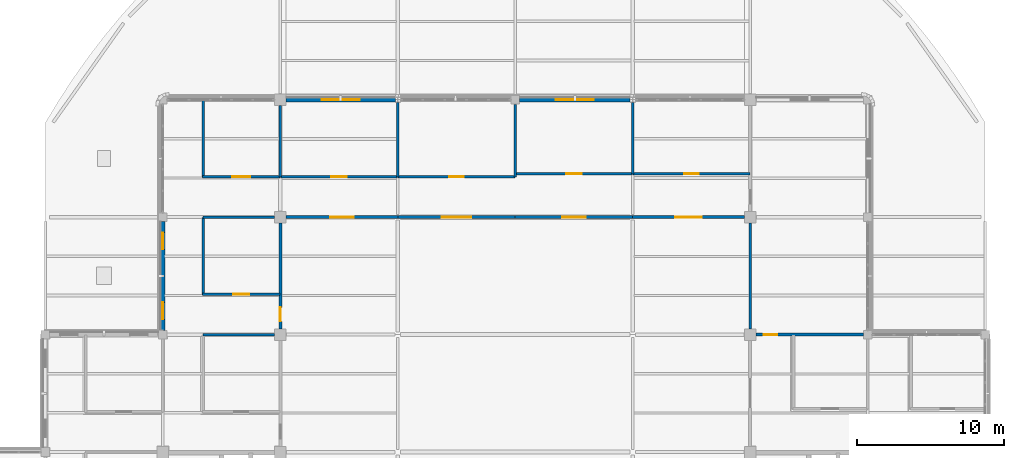
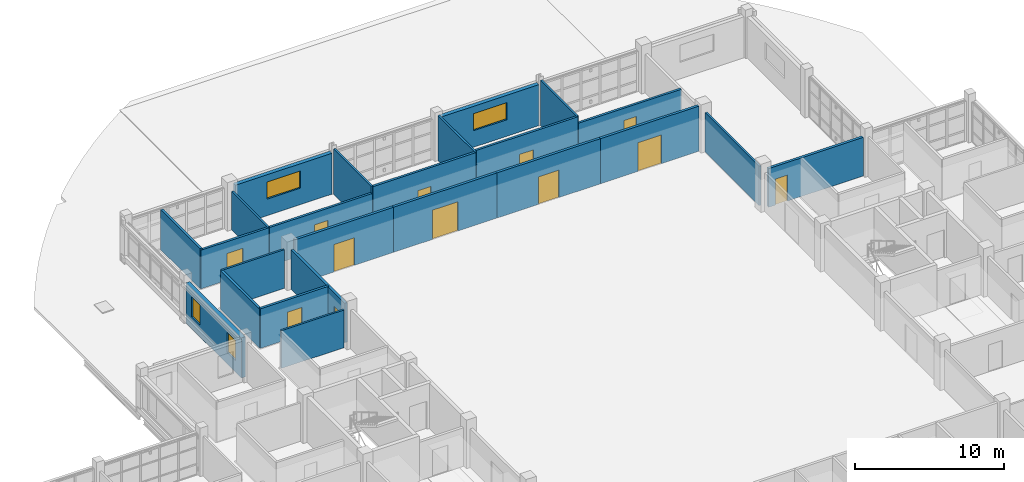
# One storey, part 97 of 126: 24 walls, 12 doors, 4 windows, 16 openings.
"""IFC4 building model written with IfcOpenShell, lengths in metres."""

from ifc_helpers import new_model, si_unit, derived_unit, direction, frame, frame_2d, origin, place, context, subcontext, project, spatial, rectangle, extrude, material, layer, layer_set, type_object, element, fill, save


model = new_model("IFC4")

# Units and contexts
model_context = context("Model", 3, precision=1e-05, world=origin(), true_north=direction((0.0, 1.0)))
body_context = subcontext(model_context, "Body", "Model", "MODEL_VIEW")
ifc_project = project(units=[si_unit("LENGTHUNIT", "METRE"), si_unit("AREAUNIT", "SQUARE_METRE"), si_unit("VOLUMEUNIT", "CUBIC_METRE"), si_unit("PLANEANGLEUNIT", "RADIAN"), si_unit("MASSUNIT", "GRAM", prefix="KILO"), derived_unit("THERMALTRANSMITTANCEUNIT", [(si_unit("MASSUNIT", "GRAM", prefix="KILO"), 1), (si_unit("TIMEUNIT", "SECOND"), -3), (si_unit("THERMODYNAMICTEMPERATUREUNIT", "KELVIN"), -1)])], contexts=[model_context])

# Site, building, storey
site_placement = place(None, origin())
site = spatial("IfcSite", under=ifc_project, at=site_placement, CompositionType="ELEMENT")
building_placement = place(site_placement, origin())
building = spatial("IfcBuilding", under=site, at=building_placement, Name="Veyamyaing Civic Hall", CompositionType="ELEMENT")
storey_placement = place(building_placement, frame((0.0, 0.0, 9.89990234375)))
storey = spatial("IfcBuildingStorey", under=building, at=storey_placement, Name="L02", CompositionType="ELEMENT", Elevation=9.89990234375)

# Wall, openings, windows
ifc_material_1 = material(Name="Precast concrete C40/50", Category="concrete")
ifc_layer_1 = layer(ifc_material_1, 0.304931640625, Name="Precast concrete C40/50")
ifc_layer_set_1 = layer_set([ifc_layer_1], Name="Precast concrete C40/50")
wall_type_1 = type_object("IfcWallType", Name="WT-03", PredefinedType="SOLIDWALL", material=ifc_layer_set_1)
wall_1_placement = place(storey_placement, frame((64.0, 64.284912109375, 0.0), z_axis=(0.0, 0.0, 1.0), x_axis=(0.0, 1.0, 0.0)))
wall_1 = element("IfcWall", 1, at=wall_1_placement, inside=storey, type_object=wall_type_1, Name="Exterior facade wall WT-03 L02 W 9.9", PredefinedType="SOLIDWALL", context=body_context, shape_type="SweptSolid", body=[
    extrude(rectangle(XDim=7.43017578125, YDim=0.304931640625, at=frame_2d((3.715087890625, 0.0))), origin(), (0.0, 0.0, 1.0), 3.2841796875),
])
opening_1_placement = place(wall_1_placement, frame((0.762451171875, 0.0, 0.949951171875)))
opening_1 = element("IfcOpeningElement", 2, at=opening_1_placement, cuts=wall_1, Name="Opening W-32", PredefinedType="OPENING", context=body_context, shape_type="SweptSolid", body=[
    extrude(rectangle(XDim=1.14990234375, YDim=1.64990234375, at=frame_2d((0.574951171875, 0.824951171875))), frame((0.0, 0.162353515625, 0.0), z_axis=(0.0, -1.0, 0.0), x_axis=(1.0, 0.0, 0.0)), (0.0, 0.0, 1.0), 0.324951171875),
])
opening_2_placement = place(wall_1_placement, frame((5.517578125, 0.0, 0.949951171875)))
opening_2 = element("IfcOpeningElement", 3, at=opening_2_placement, cuts=wall_1, Name="Opening W-32", PredefinedType="OPENING", context=body_context, shape_type="SweptSolid", body=[
    extrude(rectangle(XDim=1.14990234375, YDim=1.64990234375, at=frame_2d((0.574951171875, 0.824951171875))), frame((0.0, 0.162353515625, 0.0), z_axis=(0.0, -1.0, 0.0), x_axis=(1.0, 0.0, 0.0)), (0.0, 0.0, 1.0), 0.324951171875),
])
ifc_material_2 = material(Name="Low-E insulated glass", Category="glass")
window_type_1 = type_object("IfcWindowType", Name="W-32", PartitioningType="SINGLE_PANEL", PredefinedType="WINDOW", material=ifc_material_2)
window_1_placement = place(opening_1_placement, origin())
window_1 = element("IfcWindow", 4, at=window_1_placement, inside=storey, type_object=window_type_1, Name="Facade window W-32 L02 W 9.9.1", OverallHeight=1.64990234375, OverallWidth=1.14990234375, PartitioningType="SINGLE_PANEL", PredefinedType="WINDOW", context=body_context, shape_type="SweptSolid", body=[
    extrude(rectangle(XDim=1.14990234375, YDim=1.64990234375, at=frame_2d((0.574951171875, 0.824951171875))), frame((0.0, 0.030029296875, 0.0), z_axis=(0.0, -1.0, 0.0), x_axis=(1.0, 0.0, 0.0)), (0.0, 0.0, 1.0), 0.06005859375),
])
fill(opening_1, window_1)
window_2_placement = place(opening_2_placement, origin())
window_2 = element("IfcWindow", 5, at=window_2_placement, inside=storey, type_object=window_type_1, Name="Facade window W-32 L02 W 9.9.2", OverallHeight=1.64990234375, OverallWidth=1.14990234375, PartitioningType="SINGLE_PANEL", PredefinedType="WINDOW", context=body_context, shape_type="SweptSolid", body=[
    extrude(rectangle(XDim=1.14990234375, YDim=1.64990234375, at=frame_2d((0.574951171875, 0.824951171875))), frame((0.0, 0.030029296875, 0.0), z_axis=(0.0, -1.0, 0.0), x_axis=(1.0, 0.0, 0.0)), (0.0, 0.0, 1.0), 0.06005859375),
])
fill(opening_2, window_2)

# Wall, opening, window
wall_2_placement = place(storey_placement, frame((72.385009765625, 80.0, 0.0), z_axis=(0.0, 0.0, 1.0), x_axis=(1.0, 0.0, 0.0)))
wall_2 = element("IfcWall", 6, at=wall_2_placement, inside=storey, type_object=wall_type_1, Name="Exterior facade wall WT-03 L02 N 10.10", PredefinedType="SOLIDWALL", context=body_context, shape_type="SweptSolid", body=[
    extrude(rectangle(XDim=7.444580078125, YDim=0.304931640625, at=frame_2d((3.72216796875, 0.0))), origin(), (0.0, 0.0, 1.0), 3.343994140625),
])
opening_3_placement = place(wall_2_placement, frame((2.422119140625, 0.0, 1.35009765625)))
opening_3 = element("IfcOpeningElement", 7, at=opening_3_placement, cuts=wall_2, Name="Opening W-17", PredefinedType="OPENING", context=body_context, shape_type="SweptSolid", body=[
    extrude(rectangle(XDim=2.60009765625, YDim=1.39990234375, at=frame_2d((1.300048828125, 0.699951171875))), frame((0.0, 0.162353515625, 0.0), z_axis=(0.0, -1.0, 0.0), x_axis=(1.0, 0.0, 0.0)), (0.0, 0.0, 1.0), 0.324951171875),
])
window_type_2 = type_object("IfcWindowType", Name="W-17", PartitioningType="SINGLE_PANEL", PredefinedType="WINDOW", material=ifc_material_2)
window_3_placement = place(opening_3_placement, origin())
window_3 = element("IfcWindow", 8, at=window_3_placement, inside=storey, type_object=window_type_2, Name="Facade window W-17 L02 N 10.10", OverallHeight=1.39990234375, OverallWidth=2.60009765625, PartitioningType="SINGLE_PANEL", PredefinedType="WINDOW", context=body_context, shape_type="SweptSolid", body=[
    extrude(rectangle(XDim=2.60009765625, YDim=1.39990234375, at=frame_2d((1.300048828125, 0.699951171875))), frame((0.0, 0.030029296875, 0.0), z_axis=(0.0, -1.0, 0.0), x_axis=(1.0, 0.0, 0.0)), (0.0, 0.0, 1.0), 0.06005859375),
])
fill(opening_3, window_3)

wall_3_placement = place(storey_placement, frame((88.284912109375, 80.0, 0.0), z_axis=(0.0, 0.0, 1.0), x_axis=(1.0, 0.0, 0.0)))
wall_3 = element("IfcWall", 9, at=wall_3_placement, inside=storey, type_object=wall_type_1, Name="Exterior facade wall WT-03 L02 N 12.10", PredefinedType="SOLIDWALL", context=body_context, shape_type="SweptSolid", body=[
    extrude(rectangle(XDim=7.544677734375, YDim=0.304931640625, at=frame_2d((3.7724609375, 0.0))), origin(), (0.0, 0.0, 1.0), 3.34716796875),
])
opening_4_placement = place(wall_3_placement, frame((2.47216796875, 0.0, 1.35009765625)))
opening_4 = element("IfcOpeningElement", 10, at=opening_4_placement, cuts=wall_3, Name="Opening W-17", PredefinedType="OPENING", context=body_context, shape_type="SweptSolid", body=[
    extrude(rectangle(XDim=2.60009765625, YDim=1.39990234375, at=frame_2d((1.300048828125, 0.699951171875))), frame((0.0, 0.162353515625, 0.0), z_axis=(0.0, -1.0, 0.0), x_axis=(1.0, 0.0, 0.0)), (0.0, 0.0, 1.0), 0.324951171875),
])
window_4_placement = place(opening_4_placement, origin())
window_4 = element("IfcWindow", 11, at=window_4_placement, inside=storey, type_object=window_type_2, Name="Facade window W-17 L02 N 12.10", OverallHeight=1.39990234375, OverallWidth=2.60009765625, PartitioningType="SINGLE_PANEL", PredefinedType="WINDOW", context=body_context, shape_type="SweptSolid", body=[
    extrude(rectangle(XDim=2.60009765625, YDim=1.39990234375, at=frame_2d((1.300048828125, 0.699951171875))), frame((0.0, 0.030029296875, 0.0), z_axis=(0.0, -1.0, 0.0), x_axis=(1.0, 0.0, 0.0)), (0.0, 0.0, 1.0), 0.06005859375),
])
fill(opening_4, window_4)

# Wall, opening, door
ifc_material_3 = material(Name="Concrete C40/50", Category="concrete")
ifc_layer_2 = layer(ifc_material_3, 0.199951171875, Name="Concrete C40/50")
ifc_layer_set_2 = layer_set([ifc_layer_2], Name="Concrete C40/50")
wall_type_2 = type_object("IfcWallType", Name="WT-06", PredefinedType="PARTITIONING", material=ifc_layer_set_2)
wall_4_placement = place(storey_placement, frame((72.0, 64.389892578125, 0.0), z_axis=(0.0, 0.0, 1.0), x_axis=(0.0, 1.0, 0.0)))
wall_4 = element("IfcWall", 12, at=wall_4_placement, inside=storey, type_object=wall_type_2, Name="Interior partition wall WT-06 L02.25", PredefinedType="PARTITIONING", context=body_context, shape_type="SweptSolid", body=[
    extrude(rectangle(XDim=7.22021484375, YDim=0.199951171875, at=frame_2d((3.610107421875, 0.0))), origin(), (0.0, 0.0, 1.0), 3.22705078125),
])
opening_5_placement = place(wall_4_placement, frame((0.52001953125, 0.0, 0.0)))
opening_5 = element("IfcOpeningElement", 13, at=opening_5_placement, cuts=wall_4, Name="Opening D-30", PredefinedType="OPENING", context=body_context, shape_type="SweptSolid", body=[
    extrude(rectangle(XDim=0.93994140625, YDim=2.1201171875, at=frame_2d((0.469970703125, 1.06005859375))), frame((0.0, 0.10986328125, 0.0), z_axis=(0.0, -1.0, 0.0), x_axis=(1.0, 0.0, 0.0)), (0.0, 0.0, 1.0), 0.219970703125),
])
ifc_material_4 = material(Name="Teak-veneered acoustic timber", Category="wood")
door_type_1 = type_object("IfcDoorType", Name="D-30", OperationType="NOTDEFINED", PredefinedType="DOOR", material=ifc_material_4)
door_1_placement = place(opening_5_placement, frame((0.93994140625, 0.0, 0.0), z_axis=(0.0, 0.0, 1.0), x_axis=(-1.0, 0.0, 0.0)))
door_1 = element("IfcDoor", 14, at=door_1_placement, inside=storey, type_object=door_type_1, Name="Interior door D-30 L02.25", OperationType="SINGLE_SWING_LEFT", OverallHeight=2.1201171875, OverallWidth=0.93994140625, PredefinedType="DOOR", context=body_context, shape_type="SweptSolid", body=[
    extrude(rectangle(XDim=0.93994140625, YDim=2.1201171875, at=frame_2d((0.469970703125, 1.06005859375))), frame((0.0, 0.02490234375, 0.0), z_axis=(0.0, -1.0, 0.0), x_axis=(1.0, 0.0, 0.0)), (0.0, 0.0, 1.0), 0.050048828125),
])
fill(opening_5, door_1)

wall_5_placement = place(storey_placement, frame((72.389892578125, 72.0, 0.0), z_axis=(0.0, 0.0, 1.0), x_axis=(1.0, 0.0, 0.0)))
wall_5 = element("IfcWall", 15, at=wall_5_placement, inside=storey, type_object=wall_type_2, Name="Interior partition wall WT-06 L02.27", PredefinedType="PARTITIONING", context=body_context, shape_type="SweptSolid", body=[
    extrude(rectangle(XDim=7.610107421875, YDim=0.199951171875, at=frame_2d((3.80517578125, 0.0))), origin(), (0.0, 0.0, 1.0), 3.695068359375),
])
opening_6_placement = place(wall_5_placement, frame((3.0048828125, 0.0, 0.0)))
opening_6 = element("IfcOpeningElement", 16, at=opening_6_placement, cuts=wall_5, Name="Opening D-09", PredefinedType="OPENING", context=body_context, shape_type="SweptSolid", body=[
    extrude(rectangle(XDim=1.60009765625, YDim=2.25, at=frame_2d((0.800048828125, 1.125))), frame((0.0, 0.10986328125, 0.0), z_axis=(0.0, -1.0, 0.0), x_axis=(1.0, 0.0, 0.0)), (0.0, 0.0, 1.0), 0.219970703125),
])
door_type_2 = type_object("IfcDoorType", Name="D-09", OperationType="DOUBLE_DOOR_SINGLE_SWING", PredefinedType="DOOR", material=ifc_material_4)
door_2_placement = place(opening_6_placement, frame((1.60009765625, 0.0, 0.0), z_axis=(0.0, 0.0, 1.0), x_axis=(-1.0, 0.0, 0.0)))
door_2 = element("IfcDoor", 17, at=door_2_placement, inside=storey, type_object=door_type_2, Name="Interior door D-09 L02.27", OperationType="DOUBLE_DOOR_SINGLE_SWING", OverallHeight=2.25, OverallWidth=1.60009765625, PredefinedType="DOOR", context=body_context, shape_type="SweptSolid", body=[
    extrude(rectangle(XDim=1.60009765625, YDim=2.25, at=frame_2d((0.800048828125, 1.125))), frame((0.0, 0.02490234375, 0.0), z_axis=(0.0, -1.0, 0.0), x_axis=(1.0, 0.0, 0.0)), (0.0, 0.0, 1.0), 0.050048828125),
])
fill(opening_6, door_2)

wall_6_placement = place(storey_placement, frame((80.0, 72.0, 0.0), z_axis=(0.0, 0.0, 1.0), x_axis=(1.0, 0.0, 0.0)))
wall_6 = element("IfcWall", 18, at=wall_6_placement, inside=storey, type_object=wall_type_2, Name="Interior partition wall WT-06 L02.29", PredefinedType="PARTITIONING", context=body_context, shape_type="SweptSolid", body=[
    extrude(rectangle(XDim=8.0, YDim=0.199951171875, at=frame_2d((4.0, 0.0))), origin(), (0.0, 0.0, 1.0), 3.695068359375),
])
opening_7_placement = place(wall_6_placement, frame((3.0, 0.0, 0.0)))
opening_7 = element("IfcOpeningElement", 19, at=opening_7_placement, cuts=wall_6, Name="Opening D-07", PredefinedType="OPENING", context=body_context, shape_type="SweptSolid", body=[
    extrude(rectangle(XDim=2.0, YDim=2.39990234375, at=frame_2d((1.0, 1.199951171875))), frame((0.0, 0.10986328125, 0.0), z_axis=(0.0, -1.0, 0.0), x_axis=(1.0, 0.0, 0.0)), (0.0, 0.0, 1.0), 0.219970703125),
])
door_type_3 = type_object("IfcDoorType", Name="D-07", OperationType="DOUBLE_DOOR_SINGLE_SWING", PredefinedType="DOOR", material=ifc_material_4)
door_3_placement = place(opening_7_placement, frame((2.0, 0.0, 0.0), z_axis=(0.0, 0.0, 1.0), x_axis=(-1.0, 0.0, 0.0)))
door_3 = element("IfcDoor", 20, at=door_3_placement, inside=storey, type_object=door_type_3, Name="Interior door D-07 L02.29", OperationType="DOUBLE_DOOR_SINGLE_SWING", OverallHeight=2.39990234375, OverallWidth=2.0, PredefinedType="DOOR", context=body_context, shape_type="SweptSolid", body=[
    extrude(rectangle(XDim=2.0, YDim=2.39990234375, at=frame_2d((1.0, 1.199951171875))), frame((0.0, 0.02490234375, 0.0), z_axis=(0.0, -1.0, 0.0), x_axis=(1.0, 0.0, 0.0)), (0.0, 0.0, 1.0), 0.050048828125),
])
fill(opening_7, door_3)

wall_7_placement = place(storey_placement, frame((88.0, 72.0, 0.0), z_axis=(0.0, 0.0, 1.0), x_axis=(1.0, 0.0, 0.0)))
wall_7 = element("IfcWall", 21, at=wall_7_placement, inside=storey, type_object=wall_type_2, Name="Interior partition wall WT-06 L02.31", PredefinedType="PARTITIONING", context=body_context, shape_type="SweptSolid", body=[
    extrude(rectangle(XDim=8.0, YDim=0.199951171875, at=frame_2d((4.0, 0.0))), origin(), (0.0, 0.0, 1.0), 3.695068359375),
])
opening_8_placement = place(wall_7_placement, frame((3.199951171875, 0.0, 0.0)))
opening_8 = element("IfcOpeningElement", 22, at=opening_8_placement, cuts=wall_7, Name="Opening D-09", PredefinedType="OPENING", context=body_context, shape_type="SweptSolid", body=[
    extrude(rectangle(XDim=1.60009765625, YDim=2.25, at=frame_2d((0.800048828125, 1.125))), frame((0.0, 0.10986328125, 0.0), z_axis=(0.0, -1.0, 0.0), x_axis=(1.0, 0.0, 0.0)), (0.0, 0.0, 1.0), 0.219970703125),
])
door_4_placement = place(opening_8_placement, frame((1.60009765625, 0.0, 0.0), z_axis=(0.0, 0.0, 1.0), x_axis=(-1.0, 0.0, 0.0)))
door_4 = element("IfcDoor", 23, at=door_4_placement, inside=storey, type_object=door_type_2, Name="Interior door D-09 L02.31", OperationType="DOUBLE_DOOR_SINGLE_SWING", OverallHeight=2.25, OverallWidth=1.60009765625, PredefinedType="DOOR", context=body_context, shape_type="SweptSolid", body=[
    extrude(rectangle(XDim=1.60009765625, YDim=2.25, at=frame_2d((0.800048828125, 1.125))), frame((0.0, 0.02490234375, 0.0), z_axis=(0.0, -1.0, 0.0), x_axis=(1.0, 0.0, 0.0)), (0.0, 0.0, 1.0), 0.050048828125),
])
fill(opening_8, door_4)

wall_8_placement = place(storey_placement, frame((96.0, 72.0, 0.0), z_axis=(0.0, 0.0, 1.0), x_axis=(1.0, 0.0, 0.0)))
wall_8 = element("IfcWall", 24, at=wall_8_placement, inside=storey, type_object=wall_type_2, Name="Interior partition wall WT-06 L02.38", PredefinedType="PARTITIONING", context=body_context, shape_type="SweptSolid", body=[
    extrude(rectangle(XDim=7.610107421875, YDim=0.199951171875, at=frame_2d((3.80517578125, 0.0))), origin(), (0.0, 0.0, 1.0), 3.695068359375),
])
opening_9_placement = place(wall_8_placement, frame((2.905029296875, 0.0, 0.0)))
opening_9 = element("IfcOpeningElement", 25, at=opening_9_placement, cuts=wall_8, Name="Opening D-08", PredefinedType="OPENING", context=body_context, shape_type="SweptSolid", body=[
    extrude(rectangle(XDim=1.800048828125, YDim=2.35009765625, at=frame_2d((0.89990234375, 1.175048828125))), frame((0.0, 0.10986328125, 0.0), z_axis=(0.0, -1.0, 0.0), x_axis=(1.0, 0.0, 0.0)), (0.0, 0.0, 1.0), 0.219970703125),
])
door_type_4 = type_object("IfcDoorType", Name="D-08", OperationType="DOUBLE_DOOR_SINGLE_SWING", PredefinedType="DOOR", material=ifc_material_4)
door_5_placement = place(opening_9_placement, frame((1.800048828125, 0.0, 0.0), z_axis=(0.0, 0.0, 1.0), x_axis=(-1.0, 0.0, 0.0)))
door_5 = element("IfcDoor", 26, at=door_5_placement, inside=storey, type_object=door_type_4, Name="Interior door D-08 L02.38", OperationType="DOUBLE_DOOR_SINGLE_SWING", OverallHeight=2.35009765625, OverallWidth=1.800048828125, PredefinedType="DOOR", context=body_context, shape_type="SweptSolid", body=[
    extrude(rectangle(XDim=1.800048828125, YDim=2.35009765625, at=frame_2d((0.89990234375, 1.175048828125))), frame((0.0, 0.02490234375, 0.0), z_axis=(0.0, -1.0, 0.0), x_axis=(1.0, 0.0, 0.0)), (0.0, 0.0, 1.0), 0.050048828125),
])
fill(opening_9, door_5)

wall_9_placement = place(storey_placement, frame((104.389892578125, 64.0, 0.0), z_axis=(0.0, 0.0, 1.0), x_axis=(1.0, 0.0, 0.0)))
wall_9 = element("IfcWall", 27, at=wall_9_placement, inside=storey, type_object=wall_type_2, Name="Interior partition wall WT-06 L02.43", PredefinedType="PARTITIONING", context=body_context, shape_type="SweptSolid", body=[
    extrude(rectangle(XDim=7.320068359375, YDim=0.199951171875, at=frame_2d((3.66015625, 0.0))), origin(), (0.0, 0.0, 1.0), 3.156982421875),
])
opening_10_placement = place(wall_9_placement, frame((0.52001953125, 0.0, 0.0)))
opening_10 = element("IfcOpeningElement", 28, at=opening_10_placement, cuts=wall_9, Name="Opening D-30", PredefinedType="OPENING", context=body_context, shape_type="SweptSolid", body=[
    extrude(rectangle(XDim=0.93994140625, YDim=2.1201171875, at=frame_2d((0.469970703125, 1.06005859375))), frame((0.0, 0.10986328125, 0.0), z_axis=(0.0, -1.0, 0.0), x_axis=(1.0, 0.0, 0.0)), (0.0, 0.0, 1.0), 0.219970703125),
])
door_6_placement = place(opening_10_placement, origin())
door_6 = element("IfcDoor", 29, at=door_6_placement, inside=storey, type_object=door_type_1, Name="Interior door D-30 L02.43", OperationType="SINGLE_SWING_RIGHT", OverallHeight=2.1201171875, OverallWidth=0.93994140625, PredefinedType="DOOR", context=body_context, shape_type="SweptSolid", body=[
    extrude(rectangle(XDim=0.93994140625, YDim=2.1201171875, at=frame_2d((0.469970703125, 1.06005859375))), frame((0.0, 0.02490234375, 0.0), z_axis=(0.0, -1.0, 0.0), x_axis=(1.0, 0.0, 0.0)), (0.0, 0.0, 1.0), 0.050048828125),
])
fill(opening_10, door_6)

ifc_material_5 = material(Name="Gypsum board on acoustic steel stud", Category="steel")
ifc_layer_3 = layer(ifc_material_5, 0.175048828125, Name="Gypsum board on acoustic steel stud")
ifc_layer_set_3 = layer_set([ifc_layer_3], Name="Gypsum board on acoustic steel stud")
wall_type_3 = type_object("IfcWallType", Name="WT-07", PredefinedType="PARTITIONING", material=ifc_layer_set_3)
wall_10_placement = place(storey_placement, frame((66.699951171875, 74.75, 0.0), z_axis=(0.0, 0.0, 1.0), x_axis=(1.0, 0.0, 0.0)))
wall_10 = element("IfcWall", 30, at=wall_10_placement, inside=storey, type_object=wall_type_3, Name="Corridor gallery partition WT-07 L02.35.1", PredefinedType="PARTITIONING", context=body_context, shape_type="SweptSolid", body=[
    extrude(rectangle(XDim=5.280029296875, YDim=0.175048828125, at=frame_2d((2.64013671875, 0.0))), origin(), (0.0, 0.0, 1.0), 3.151123046875),
])
opening_11_placement = place(wall_10_placement, frame((2.014892578125, 0.0, 0.0)))
opening_11 = element("IfcOpeningElement", 31, at=opening_11_placement, cuts=wall_10, Name="Opening D-29", PredefinedType="OPENING", context=body_context, shape_type="SweptSolid", body=[
    extrude(rectangle(XDim=1.25, YDim=2.179931640625, at=frame_2d((0.625, 1.08984375))), frame((0.0, 0.097412109375, 0.0), z_axis=(0.0, -1.0, 0.0), x_axis=(1.0, 0.0, 0.0)), (0.0, 0.0, 1.0), 0.195068359375),
])
door_type_5 = type_object("IfcDoorType", Name="D-29", OperationType="NOTDEFINED", PredefinedType="DOOR", material=ifc_material_4)
door_7_placement = place(opening_11_placement, origin())
door_7 = element("IfcDoor", 32, at=door_7_placement, inside=storey, type_object=door_type_5, Name="Gallery office door D-29 L02.35", OperationType="SINGLE_SWING_LEFT", OverallHeight=2.179931640625, OverallWidth=1.25, PredefinedType="DOOR", context=body_context, shape_type="SweptSolid", body=[
    extrude(rectangle(XDim=1.25, YDim=2.179931640625, at=frame_2d((0.625, 1.08984375))), frame((0.0, 0.02490234375, 0.0), z_axis=(0.0, -1.0, 0.0), x_axis=(1.0, 0.0, 0.0)), (0.0, 0.0, 1.0), 0.050048828125),
])
fill(opening_11, door_7)

# Wall
wall_11_placement = place(storey_placement, frame((66.75, 74.699951171875, 0.0), z_axis=(0.0, 0.0, 1.0), x_axis=(0.0, 1.0, 0.0)))
element("IfcWall", 33, at=wall_11_placement, inside=storey, type_object=wall_type_3, Name="Corridor gallery partition WT-07 L02.35.2", PredefinedType="PARTITIONING", context=body_context, shape_type="SweptSolid", body=[
    extrude(rectangle(XDim=5.280029296875, YDim=0.175048828125, at=frame_2d((2.64013671875, 0.0))), origin(), (0.0, 0.0, 1.0), 3.273193359375),
])

# Wall, opening, door
wall_12_placement = place(storey_placement, frame((72.02001953125, 74.75, 0.0), z_axis=(0.0, 0.0, 1.0), x_axis=(1.0, 0.0, 0.0)))
wall_12 = element("IfcWall", 34, at=wall_12_placement, inside=storey, type_object=wall_type_3, Name="Corridor gallery partition WT-07 L02.37.1", PredefinedType="PARTITIONING", context=body_context, shape_type="SweptSolid", body=[
    extrude(rectangle(XDim=7.9599609375, YDim=0.175048828125, at=frame_2d((3.97998046875, 0.0))), origin(), (0.0, 0.0, 1.0), 3.151123046875),
])
opening_12_placement = place(wall_12_placement, frame((3.455078125, 0.0, 0.0)))
opening_12 = element("IfcOpeningElement", 35, at=opening_12_placement, cuts=wall_12, Name="Opening D-12", PredefinedType="OPENING", context=body_context, shape_type="SweptSolid", body=[
    extrude(rectangle(XDim=1.050048828125, YDim=2.14990234375, at=frame_2d((0.52490234375, 1.074951171875))), frame((0.0, 0.097412109375, 0.0), z_axis=(0.0, -1.0, 0.0), x_axis=(1.0, 0.0, 0.0)), (0.0, 0.0, 1.0), 0.195068359375),
])
door_type_6 = type_object("IfcDoorType", Name="D-12", OperationType="NOTDEFINED", PredefinedType="DOOR", material=ifc_material_4)
door_8_placement = place(opening_12_placement, origin())
door_8 = element("IfcDoor", 36, at=door_8_placement, inside=storey, type_object=door_type_6, Name="Gallery office door D-12 L02.37", OperationType="SINGLE_SWING_LEFT", OverallHeight=2.14990234375, OverallWidth=1.050048828125, PredefinedType="DOOR", context=body_context, shape_type="SweptSolid", body=[
    extrude(rectangle(XDim=1.050048828125, YDim=2.14990234375, at=frame_2d((0.52490234375, 1.074951171875))), frame((0.0, 0.02490234375, 0.0), z_axis=(0.0, -1.0, 0.0), x_axis=(1.0, 0.0, 0.0)), (0.0, 0.0, 1.0), 0.050048828125),
])
fill(opening_12, door_8)

wall_13_placement = place(storey_placement, frame((80.02001953125, 74.75, 0.0), z_axis=(0.0, 0.0, 1.0), x_axis=(1.0, 0.0, 0.0)))
wall_13 = element("IfcWall", 37, at=wall_13_placement, inside=storey, type_object=wall_type_3, Name="Corridor gallery partition WT-07 L02.39.1", PredefinedType="PARTITIONING", context=body_context, shape_type="SweptSolid", body=[
    extrude(rectangle(XDim=7.9599609375, YDim=0.175048828125, at=frame_2d((3.97998046875, 0.0))), origin(), (0.0, 0.0, 1.0), 3.695068359375),
])
opening_13_placement = place(wall_13_placement, frame((3.489990234375, 0.0, 0.0)))
opening_13 = element("IfcOpeningElement", 38, at=opening_13_placement, cuts=wall_13, Name="Opening D-14", PredefinedType="OPENING", context=body_context, shape_type="SweptSolid", body=[
    extrude(rectangle(XDim=0.97998046875, YDim=2.14990234375, at=frame_2d((0.489990234375, 1.074951171875))), frame((0.0, 0.097412109375, 0.0), z_axis=(0.0, -1.0, 0.0), x_axis=(1.0, 0.0, 0.0)), (0.0, 0.0, 1.0), 0.195068359375),
])
door_type_7 = type_object("IfcDoorType", Name="D-14", OperationType="NOTDEFINED", PredefinedType="DOOR", material=ifc_material_4)
door_9_placement = place(opening_13_placement, origin())
door_9 = element("IfcDoor", 39, at=door_9_placement, inside=storey, type_object=door_type_7, Name="Gallery office door D-14 L02.39", OperationType="SINGLE_SWING_LEFT", OverallHeight=2.14990234375, OverallWidth=0.97998046875, PredefinedType="DOOR", context=body_context, shape_type="SweptSolid", body=[
    extrude(rectangle(XDim=0.97998046875, YDim=2.14990234375, at=frame_2d((0.489990234375, 1.074951171875))), frame((0.0, 0.02490234375, 0.0), z_axis=(0.0, -1.0, 0.0), x_axis=(1.0, 0.0, 0.0)), (0.0, 0.0, 1.0), 0.050048828125),
])
fill(opening_13, door_9)

wall_14_placement = place(storey_placement, frame((88.02001953125, 74.949951171875, 0.0), z_axis=(0.0, 0.0, 1.0), x_axis=(1.0, 0.0, 0.0)))
wall_14 = element("IfcWall", 40, at=wall_14_placement, inside=storey, type_object=wall_type_3, Name="Corridor gallery partition WT-07 L02.41.1", PredefinedType="PARTITIONING", context=body_context, shape_type="SweptSolid", body=[
    extrude(rectangle(XDim=7.9599609375, YDim=0.175048828125, at=frame_2d((3.97998046875, 0.0))), origin(), (0.0, 0.0, 1.0), 3.695068359375),
])
opening_14_placement = place(wall_14_placement, frame((3.43994140625, 0.0, 0.0)))
opening_14 = element("IfcOpeningElement", 41, at=opening_14_placement, cuts=wall_14, Name="Opening D-23", PredefinedType="OPENING", context=body_context, shape_type="SweptSolid", body=[
    extrude(rectangle(XDim=1.080078125, YDim=2.199951171875, at=frame_2d((0.5400390625, 1.10009765625))), frame((0.0, 0.097412109375, 0.0), z_axis=(0.0, -1.0, 0.0), x_axis=(1.0, 0.0, 0.0)), (0.0, 0.0, 1.0), 0.195068359375),
])
door_type_8 = type_object("IfcDoorType", Name="D-23", OperationType="NOTDEFINED", PredefinedType="DOOR", material=ifc_material_4)
door_10_placement = place(opening_14_placement, origin())
door_10 = element("IfcDoor", 42, at=door_10_placement, inside=storey, type_object=door_type_8, Name="Gallery office door D-23 L02.41", OperationType="SINGLE_SWING_LEFT", OverallHeight=2.199951171875, OverallWidth=1.080078125, PredefinedType="DOOR", context=body_context, shape_type="SweptSolid", body=[
    extrude(rectangle(XDim=1.080078125, YDim=2.199951171875, at=frame_2d((0.5400390625, 1.10009765625))), frame((0.0, 0.02490234375, 0.0), z_axis=(0.0, -1.0, 0.0), x_axis=(1.0, 0.0, 0.0)), (0.0, 0.0, 1.0), 0.050048828125),
])
fill(opening_14, door_10)

wall_15_placement = place(storey_placement, frame((96.02001953125, 74.949951171875, 0.0), z_axis=(0.0, 0.0, 1.0), x_axis=(1.0, 0.0, 0.0)))
wall_15 = element("IfcWall", 43, at=wall_15_placement, inside=storey, type_object=wall_type_3, Name="Corridor gallery partition WT-07 L02.43.1", PredefinedType="PARTITIONING", context=body_context, shape_type="SweptSolid", body=[
    extrude(rectangle(XDim=7.9599609375, YDim=0.175048828125, at=frame_2d((3.97998046875, 0.0))), origin(), (0.0, 0.0, 1.0), 3.151123046875),
])
opening_15_placement = place(wall_15_placement, frame((3.5, 0.0, 0.0)))
opening_15 = element("IfcOpeningElement", 44, at=opening_15_placement, cuts=wall_15, Name="Opening D-25", PredefinedType="OPENING", context=body_context, shape_type="SweptSolid", body=[
    extrude(rectangle(XDim=0.9599609375, YDim=2.139892578125, at=frame_2d((0.47998046875, 1.06982421875))), frame((0.0, 0.097412109375, 0.0), z_axis=(0.0, -1.0, 0.0), x_axis=(1.0, 0.0, 0.0)), (0.0, 0.0, 1.0), 0.195068359375),
])
door_type_9 = type_object("IfcDoorType", Name="D-25", OperationType="NOTDEFINED", PredefinedType="DOOR", material=ifc_material_4)
door_11_placement = place(opening_15_placement, origin())
door_11 = element("IfcDoor", 45, at=door_11_placement, inside=storey, type_object=door_type_9, Name="Gallery office door D-25 L02.43", OperationType="SINGLE_SWING_LEFT", OverallHeight=2.139892578125, OverallWidth=0.9599609375, PredefinedType="DOOR", context=body_context, shape_type="SweptSolid", body=[
    extrude(rectangle(XDim=0.9599609375, YDim=2.139892578125, at=frame_2d((0.47998046875, 1.06982421875))), frame((0.0, 0.02490234375, 0.0), z_axis=(0.0, -1.0, 0.0), x_axis=(1.0, 0.0, 0.0)), (0.0, 0.0, 1.0), 0.050048828125),
])
fill(opening_15, door_11)

# Walls
ifc_material_6 = material(Name="Gypsum board on steel stud", Category="steel")
ifc_layer_4 = layer(ifc_material_6, 0.14990234375, Name="Gypsum board on steel stud")
ifc_layer_set_4 = layer_set([ifc_layer_4], Name="Gypsum board on steel stud")
wall_type_4 = type_object("IfcWallType", Name="WT-08", PredefinedType="PARTITIONING", material=ifc_layer_set_4)
wall_16_placement = place(storey_placement, frame((66.75, 64.0, 0.0), z_axis=(0.0, 0.0, 1.0), x_axis=(1.0, 0.0, 0.0)))
element("IfcWall", 46, at=wall_16_placement, inside=storey, type_object=wall_type_4, Name="Gallery office end partition WT-08 L02.33.1", PredefinedType="PARTITIONING", context=body_context, shape_type="SweptSolid", body=[
    extrude(rectangle(XDim=4.840087890625, YDim=0.14990234375, at=frame_2d((2.419921875, 0.0))), origin(), (0.0, 0.0, 1.0), 3.08203125),
])
wall_17_placement = place(storey_placement, frame((66.75, 72.0, 0.0), z_axis=(0.0, 0.0, 1.0), x_axis=(1.0, 0.0, 0.0)))
element("IfcWall", 47, at=wall_17_placement, inside=storey, type_object=wall_type_4, Name="Gallery office end partition WT-08 L02.34.1", PredefinedType="PARTITIONING", context=body_context, shape_type="SweptSolid", body=[
    extrude(rectangle(XDim=4.840087890625, YDim=0.14990234375, at=frame_2d((2.419921875, 0.0))), origin(), (0.0, 0.0, 1.0), 3.156982421875),
])
wall_18_placement = place(storey_placement, frame((72.0, 74.75, 0.0), z_axis=(0.0, 0.0, 1.0), x_axis=(0.0, 1.0, 0.0)))
element("IfcWall", 48, at=wall_18_placement, inside=storey, type_object=wall_type_4, Name="Gallery office end partition WT-08 L02.35.2", PredefinedType="PARTITIONING", context=body_context, shape_type="SweptSolid", body=[
    extrude(rectangle(XDim=4.840087890625, YDim=0.14990234375, at=frame_2d((2.419921875, 0.0))), origin(), (0.0, 0.0, 1.0), 3.151123046875),
])
wall_19_placement = place(storey_placement, frame((80.0, 74.75, 0.0), z_axis=(0.0, 0.0, 1.0), x_axis=(0.0, 1.0, 0.0)))
element("IfcWall", 49, at=wall_19_placement, inside=storey, type_object=wall_type_4, Name="Gallery office end partition WT-08 L02.37.2", PredefinedType="PARTITIONING", context=body_context, shape_type="SweptSolid", body=[
    extrude(rectangle(XDim=5.05810546875, YDim=0.14990234375, at=frame_2d((2.529052734375, 0.0))), origin(), (0.0, 0.0, 1.0), 3.695068359375),
])
wall_20_placement = place(storey_placement, frame((88.0, 74.75, 0.0), z_axis=(0.0, 0.0, 1.0), x_axis=(0.0, 1.0, 0.0)))
element("IfcWall", 50, at=wall_20_placement, inside=storey, type_object=wall_type_4, Name="Gallery office end partition WT-08 L02.39.2", PredefinedType="PARTITIONING", context=body_context, shape_type="SweptSolid", body=[
    extrude(rectangle(XDim=4.93994140625, YDim=0.14990234375, at=frame_2d((2.469970703125, 0.0))), origin(), (0.0, 0.0, 1.0), 3.695068359375),
])
wall_21_placement = place(storey_placement, frame((96.0, 74.949951171875, 0.0), z_axis=(0.0, 0.0, 1.0), x_axis=(0.0, 1.0, 0.0)))
element("IfcWall", 51, at=wall_21_placement, inside=storey, type_object=wall_type_4, Name="Gallery office end partition WT-08 L02.41.2", PredefinedType="PARTITIONING", context=body_context, shape_type="SweptSolid", body=[
    extrude(rectangle(XDim=4.858154296875, YDim=0.14990234375, at=frame_2d((2.42919921875, 0.0))), origin(), (0.0, 0.0, 1.0), 3.695068359375),
])
wall_22_placement = place(storey_placement, frame((104.0, 64.389892578125, 0.0), z_axis=(0.0, 0.0, 1.0), x_axis=(0.0, 1.0, 0.0)))
element("IfcWall", 52, at=wall_22_placement, inside=storey, type_object=wall_type_4, Name="Interior partition wall WT-08 L02.37", PredefinedType="PARTITIONING", context=body_context, shape_type="SweptSolid", body=[
    extrude(rectangle(XDim=7.22021484375, YDim=0.14990234375, at=frame_2d((3.610107421875, 0.0))), origin(), (0.0, 0.0, 1.0), 3.22705078125),
])

# Wall, opening, door
ifc_material_7 = material(Name="Gypsum board on double acoustic stud")
ifc_layer_5 = layer(ifc_material_7, 0.18505859375, Name="Gypsum board on double acoustic stud")
ifc_layer_set_5 = layer_set([ifc_layer_5], Name="Gypsum board on double acoustic stud")
wall_type_5 = type_object("IfcWallType", Name="WT-19", PredefinedType="PARTITIONING", material=ifc_layer_set_5)
wall_23_placement = place(storey_placement, frame((66.699951171875, 66.75, 0.0), z_axis=(0.0, 0.0, 1.0), x_axis=(1.0, 0.0, 0.0)))
wall_23 = element("IfcWall", 53, at=wall_23_placement, inside=storey, type_object=wall_type_5, Name="Corridor gallery partition WT-19 L02.34.1", PredefinedType="PARTITIONING", context=body_context, shape_type="SweptSolid", body=[
    extrude(rectangle(XDim=5.280029296875, YDim=0.18505859375, at=frame_2d((2.64013671875, 0.0))), origin(), (0.0, 0.0, 1.0), 3.22705078125),
])
opening_16_placement = place(wall_23_placement, frame((2.080078125, 0.0, 0.0)))
opening_16 = element("IfcOpeningElement", 54, at=opening_16_placement, cuts=wall_23, Name="Opening D-26", PredefinedType="OPENING", context=body_context, shape_type="SweptSolid", body=[
    extrude(rectangle(XDim=1.1201171875, YDim=2.219970703125, at=frame_2d((0.56005859375, 1.10986328125))), frame((0.0, 0.1025390625, 0.0), z_axis=(0.0, -1.0, 0.0), x_axis=(1.0, 0.0, 0.0)), (0.0, 0.0, 1.0), 0.205078125),
])
door_type_10 = type_object("IfcDoorType", Name="D-26", OperationType="NOTDEFINED", PredefinedType="DOOR", material=ifc_material_4)
door_12_placement = place(opening_16_placement, origin())
door_12 = element("IfcDoor", 55, at=door_12_placement, inside=storey, type_object=door_type_10, Name="Gallery office door D-26 L02.34", OperationType="SINGLE_SWING_RIGHT", OverallHeight=2.219970703125, OverallWidth=1.1201171875, PredefinedType="DOOR", context=body_context, shape_type="SweptSolid", body=[
    extrude(rectangle(XDim=1.1201171875, YDim=2.219970703125, at=frame_2d((0.56005859375, 1.10986328125))), frame((0.0, 0.02490234375, 0.0), z_axis=(0.0, -1.0, 0.0), x_axis=(1.0, 0.0, 0.0)), (0.0, 0.0, 1.0), 0.050048828125),
])
fill(opening_16, door_12)

# Wall
wall_24_placement = place(storey_placement, frame((66.75, 66.699951171875, 0.0), z_axis=(0.0, 0.0, 1.0), x_axis=(0.0, 1.0, 0.0)))
element("IfcWall", 56, at=wall_24_placement, inside=storey, type_object=wall_type_5, Name="Corridor gallery partition WT-19 L02.34.2", PredefinedType="PARTITIONING", context=body_context, shape_type="SweptSolid", body=[
    extrude(rectangle(XDim=5.280029296875, YDim=0.18505859375, at=frame_2d((2.64013671875, 0.0))), origin(), (0.0, 0.0, 1.0), 3.156982421875),
])

save(model, "model.ifc")
